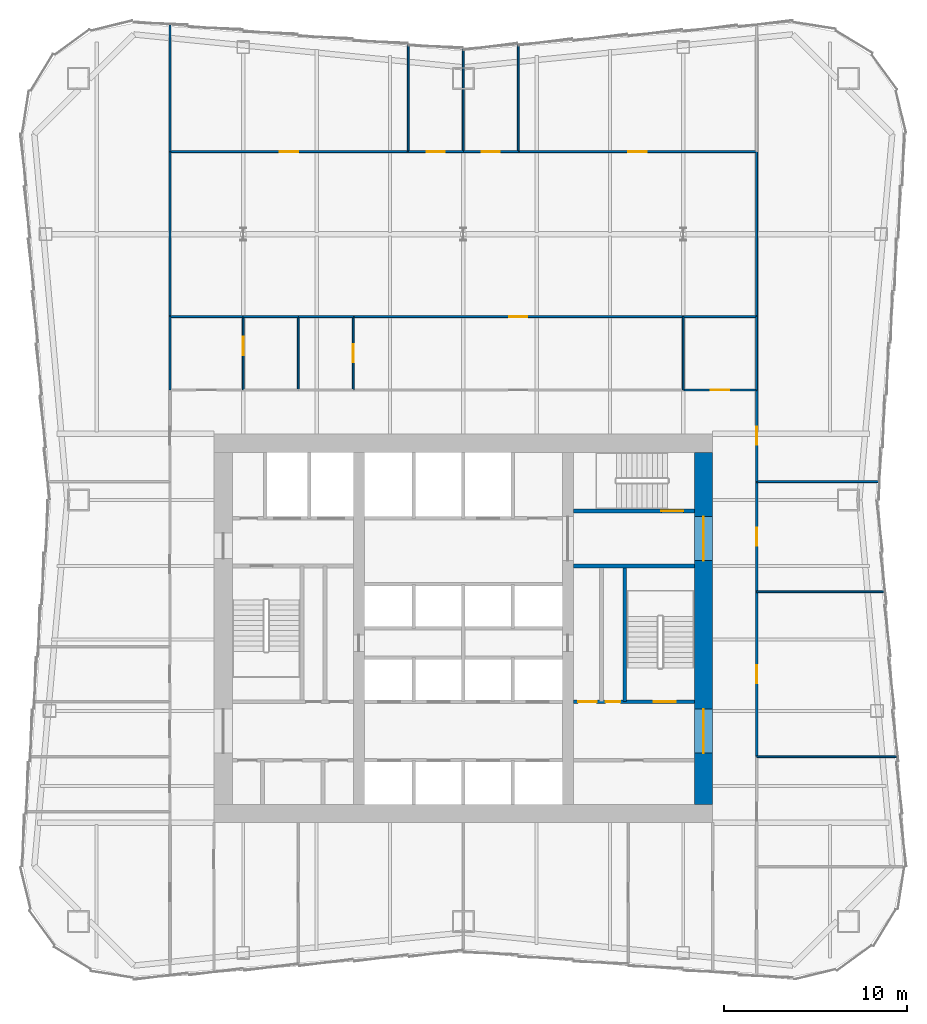
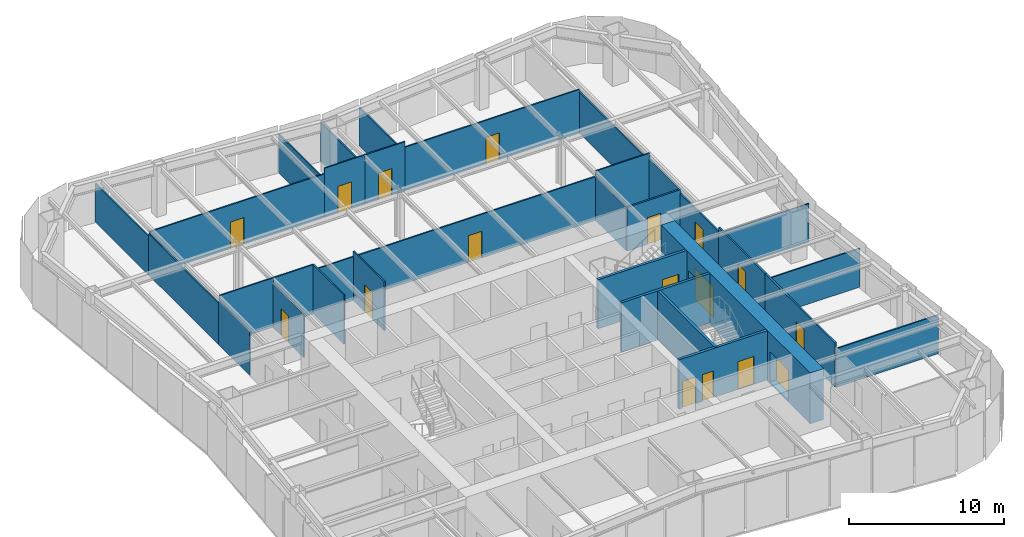
# One storey, part 6 of 8: 33 walls, 17 doors, 17 openings.
"""IFC4 building model written with IfcOpenShell, lengths in metres."""

from ifc_helpers import new_model, si_unit, direction, frame, frame_2d, origin, place, context, subcontext, project, spatial, rectangle, extrude, material, layer, layer_set, type_object, element, fill, save


model = new_model("IFC4")

# Units and contexts
model_context = context("Model", 3, precision=1e-05, world=origin(), true_north=direction((0.0, 1.0)))
body_context = subcontext(model_context, "Body", "Model", "MODEL_VIEW")
ifc_project = project(units=[si_unit("LENGTHUNIT", "METRE"), si_unit("AREAUNIT", "SQUARE_METRE"), si_unit("VOLUMEUNIT", "CUBIC_METRE"), si_unit("PLANEANGLEUNIT", "RADIAN"), si_unit("MASSUNIT", "GRAM", prefix="KILO")], contexts=[model_context])

# Site, building, storey
site_placement = place(None, origin())
site = spatial("IfcSite", under=ifc_project, at=site_placement, CompositionType="ELEMENT")
building_placement = place(site_placement, origin())
building = spatial("IfcBuilding", under=site, at=building_placement, Name="Verdant Reach Tower", CompositionType="ELEMENT")
storey_placement = place(building_placement, frame((0.0, 0.0, 134.0)))
storey = spatial("IfcBuildingStorey", under=building, at=storey_placement, Name="L30", CompositionType="ELEMENT", Elevation=134.0)

# Wall, openings, doors
ifc_material_1 = material(Name="Concrete C40/50", Category="concrete")
ifc_layer_1 = layer(ifc_material_1, 0.199951171875)
ifc_layer_set_1 = layer_set([ifc_layer_1], Name="CO-WALL-STAIR")
wall_type_1 = type_object("IfcWallType", Name="CO-WALL-STAIR", PredefinedType="PARTITIONING", material=ifc_layer_set_1)
wall_1_placement = place(storey_placement, frame((6.0, 24.0, 0.0), z_axis=(0.0, 0.0, 1.0), x_axis=(1.0, 0.0, 0.0)))
wall_1 = element("IfcWall", 1, at=wall_1_placement, inside=storey, type_object=wall_type_1, Name="Stair enclosure wall, L30", PredefinedType="PARTITIONING", context=body_context, shape_type="SweptSolid", body=[
    extrude(rectangle(XDim=6.60009765625, YDim=0.199951171875, at=frame_2d((3.300048828125, 0.0))), origin(), (0.0, 0.0, 1.0), 3.8701171875),
])
opening_1_placement = place(wall_1_placement, frame((0.27001953125, 0.0, 0.0)))
opening_1 = element("IfcOpeningElement", 2, at=opening_1_placement, cuts=wall_1, Name="Opening CD", PredefinedType="OPENING", context=body_context, shape_type="SweptSolid", body=[
    extrude(rectangle(XDim=1.0, YDim=2.10009765625, at=frame_2d((0.5, 1.050048828125))), frame((0.0, 0.10986328125, 0.0), z_axis=(0.0, -1.0, 0.0), x_axis=(1.0, 0.0, 0.0)), (0.0, 0.0, 1.0), 0.219970703125),
])
opening_2_placement = place(wall_1_placement, frame((1.77001953125, 0.0, 0.0)))
opening_2 = element("IfcOpeningElement", 3, at=opening_2_placement, cuts=wall_1, Name="Opening CDN", PredefinedType="OPENING", context=body_context, shape_type="SweptSolid", body=[
    extrude(rectangle(XDim=0.800048828125, YDim=2.10009765625, at=frame_2d((0.39990234375, 1.050048828125))), frame((0.0, 0.10986328125, 0.0), z_axis=(0.0, -1.0, 0.0), x_axis=(1.0, 0.0, 0.0)), (0.0, 0.0, 1.0), 0.219970703125),
])
opening_3_placement = place(wall_1_placement, frame((4.39990234375, 0.0, 0.0)))
opening_3 = element("IfcOpeningElement", 4, at=opening_3_placement, cuts=wall_1, Name="Opening SD", PredefinedType="OPENING", context=body_context, shape_type="SweptSolid", body=[
    extrude(rectangle(XDim=1.199951171875, YDim=2.199951171875, at=frame_2d((0.60009765625, 1.10009765625))), frame((0.0, 0.10986328125, 0.0), z_axis=(0.0, -1.0, 0.0), x_axis=(1.0, 0.0, 0.0)), (0.0, 0.0, 1.0), 0.219970703125),
])
ifc_material_2 = material(Name="Timber", Category="wood")
door_type_1 = type_object("IfcDoorType", Name="CO-DOOR-ROOM", OperationType="NOTDEFINED", PredefinedType="DOOR", material=ifc_material_2)
door_1_placement = place(opening_1_placement, origin())
door_1 = element("IfcDoor", 5, at=door_1_placement, inside=storey, type_object=door_type_1, Name="Core room door, L30", OperationType="SINGLE_SWING_RIGHT", OverallHeight=2.10009765625, OverallWidth=1.0, PredefinedType="DOOR", context=body_context, shape_type="SweptSolid", body=[
    extrude(rectangle(XDim=1.0, YDim=2.10009765625, at=frame_2d((0.5, 1.050048828125))), frame((0.0, 0.02490234375, 0.0), z_axis=(0.0, -1.0, 0.0), x_axis=(1.0, 0.0, 0.0)), (0.0, 0.0, 1.0), 0.050048828125),
])
fill(opening_1, door_1)
door_type_2 = type_object("IfcDoorType", Name="CO-DOOR-ROOM-NARROW", OperationType="NOTDEFINED", PredefinedType="DOOR", material=ifc_material_2)
door_2_placement = place(opening_2_placement, origin())
door_2 = element("IfcDoor", 6, at=door_2_placement, inside=storey, type_object=door_type_2, Name="Core room door, L30", OperationType="SINGLE_SWING_LEFT", OverallHeight=2.10009765625, OverallWidth=0.800048828125, PredefinedType="DOOR", context=body_context, shape_type="SweptSolid", body=[
    extrude(rectangle(XDim=0.800048828125, YDim=2.10009765625, at=frame_2d((0.39990234375, 1.050048828125))), frame((0.0, 0.02490234375, 0.0), z_axis=(0.0, -1.0, 0.0), x_axis=(1.0, 0.0, 0.0)), (0.0, 0.0, 1.0), 0.050048828125),
])
fill(opening_2, door_2)
ifc_material_3 = material(Name="Steel", Category="steel")
door_type_3 = type_object("IfcDoorType", Name="CO-DOOR-STAIR", OperationType="NOTDEFINED", PredefinedType="DOOR", material=ifc_material_3)
door_3_placement = place(opening_3_placement, origin())
door_3 = element("IfcDoor", 7, at=door_3_placement, inside=storey, type_object=door_type_3, Name="Stair door, L30", OperationType="SINGLE_SWING_RIGHT", OverallHeight=2.199951171875, OverallWidth=1.199951171875, PredefinedType="DOOR", context=body_context, shape_type="SweptSolid", body=[
    extrude(rectangle(XDim=1.199951171875, YDim=2.199951171875, at=frame_2d((0.60009765625, 1.10009765625))), frame((0.0, 0.02490234375, 0.0), z_axis=(0.0, -1.0, 0.0), x_axis=(1.0, 0.0, 0.0)), (0.0, 0.0, 1.0), 0.050048828125),
])
fill(opening_3, door_3)

# Wall
wall_2_placement = place(storey_placement, frame((6.0, 31.39990234375, 0.0), z_axis=(0.0, 0.0, 1.0), x_axis=(1.0, 0.0, 0.0)))
element("IfcWall", 8, at=wall_2_placement, inside=storey, type_object=wall_type_1, Name="Stair enclosure wall, L30", PredefinedType="PARTITIONING", context=body_context, shape_type="SweptSolid", body=[
    extrude(rectangle(XDim=6.60009765625, YDim=0.199951171875, at=frame_2d((3.300048828125, 0.0))), origin(), (0.0, 0.0, 1.0), 3.8701171875),
])

# Wall, opening, door
wall_3_placement = place(storey_placement, frame((6.0, 34.39990234375, 0.0), z_axis=(0.0, 0.0, 1.0), x_axis=(1.0, 0.0, 0.0)))
wall_3 = element("IfcWall", 9, at=wall_3_placement, inside=storey, type_object=wall_type_1, Name="Stair enclosure wall, L30", PredefinedType="PARTITIONING", context=body_context, shape_type="SweptSolid", body=[
    extrude(rectangle(XDim=6.60009765625, YDim=0.199951171875, at=frame_2d((3.300048828125, 0.0))), origin(), (0.0, 0.0, 1.0), 3.8701171875),
])
opening_4_placement = place(wall_3_placement, frame((4.800048828125, 0.0, 0.0)))
opening_4 = element("IfcOpeningElement", 10, at=opening_4_placement, cuts=wall_3, Name="Opening SD", PredefinedType="OPENING", context=body_context, shape_type="SweptSolid", body=[
    extrude(rectangle(XDim=1.199951171875, YDim=2.199951171875, at=frame_2d((0.60009765625, 1.10009765625))), frame((0.0, 0.10986328125, 0.0), z_axis=(0.0, -1.0, 0.0), x_axis=(1.0, 0.0, 0.0)), (0.0, 0.0, 1.0), 0.219970703125),
])
door_4_placement = place(opening_4_placement, origin())
door_4 = element("IfcDoor", 11, at=door_4_placement, inside=storey, type_object=door_type_3, Name="Stair door, L30", OperationType="SINGLE_SWING_LEFT", OverallHeight=2.199951171875, OverallWidth=1.199951171875, PredefinedType="DOOR", context=body_context, shape_type="SweptSolid", body=[
    extrude(rectangle(XDim=1.199951171875, YDim=2.199951171875, at=frame_2d((0.60009765625, 1.10009765625))), frame((0.0, 0.02490234375, 0.0), z_axis=(0.0, -1.0, 0.0), x_axis=(1.0, 0.0, 0.0)), (0.0, 0.0, 1.0), 0.050048828125),
])
fill(opening_4, door_4)

# Walls
wall_4_placement = place(storey_placement, frame((8.800048828125, 24.0, 0.0), z_axis=(0.0, 0.0, 1.0), x_axis=(0.0, 1.0, 0.0)))
element("IfcWall", 12, at=wall_4_placement, inside=storey, type_object=wall_type_1, Name="Stair enclosure wall, L30", PredefinedType="PARTITIONING", context=body_context, shape_type="SweptSolid", body=[
    extrude(rectangle(XDim=7.39990234375, YDim=0.199951171875, at=frame_2d((3.699951171875, 0.0))), origin(), (0.0, 0.0, 1.0), 3.8701171875),
])
ifc_material_4 = material(Name="Gypsum board on steel studs", Category="steel")
ifc_layer_2 = layer(ifc_material_4, 0.10009765625)
ifc_layer_set_2 = layer_set([ifc_layer_2], Name="FL-W1 Partition 100")
wall_type_2 = type_object("IfcWallType", Name="FL-W1 Partition 100", PredefinedType="PARTITIONING", material=ifc_layer_set_2)
wall_5_placement = place(storey_placement, frame((-16.0, 41.0, 0.0), z_axis=(0.0, 0.0, 1.0), x_axis=(0.0, 1.0, 0.0)))
element("IfcWall", 13, at=wall_5_placement, inside=storey, type_object=wall_type_2, Name="Partition 30.24", PredefinedType="PARTITIONING", context=body_context, shape_type="SweptSolid", body=[
    extrude(rectangle(XDim=4.0, YDim=0.10009765625, at=frame_2d((2.0, 0.0))), origin(), (0.0, 0.0, 1.0), 3.43994140625),
])
wall_6_placement = place(storey_placement, frame((-16.0, 45.0, 0.0), z_axis=(0.0, 0.0, 1.0), x_axis=(0.0, 1.0, 0.0)))
element("IfcWall", 14, at=wall_6_placement, inside=storey, type_object=wall_type_2, Name="Partition 30.25", PredefinedType="PARTITIONING", context=body_context, shape_type="SweptSolid", body=[
    extrude(rectangle(XDim=9.0, YDim=0.10009765625, at=frame_2d((4.5, 0.0))), origin(), (0.0, 0.0, 1.0), 3.239990234375),
])
wall_7_placement = place(storey_placement, frame((-16.0, 54.0, 0.0), z_axis=(0.0, 0.0, 1.0), x_axis=(0.0, 1.0, 0.0)))
element("IfcWall", 15, at=wall_7_placement, inside=storey, type_object=wall_type_2, Name="Partition 30.26", PredefinedType="PARTITIONING", context=body_context, shape_type="SweptSolid", body=[
    extrude(rectangle(XDim=6.913330078125, YDim=0.10009765625, at=frame_2d((3.45654296875, 0.0))), origin(), (0.0, 0.0, 1.0), 3.0400390625),
])
wall_8_placement = place(storey_placement, frame((23.6298828125, 21.0, 0.0), z_axis=(0.0, 0.0, 1.0), x_axis=(-1.0, 0.0, 0.0)))
element("IfcWall", 16, at=wall_8_placement, inside=storey, type_object=wall_type_2, Name="Partition 30.28", PredefinedType="PARTITIONING", context=body_context, shape_type="SweptSolid", body=[
    extrude(rectangle(XDim=7.6298828125, YDim=0.10009765625, at=frame_2d((3.81494140625, 0.0))), origin(), (0.0, 0.0, 1.0), 3.0400390625),
])
wall_9_placement = place(storey_placement, frame((22.955078125, 30.0, 0.0), z_axis=(0.0, 0.0, 1.0), x_axis=(-1.0, 0.0, 0.0)))
element("IfcWall", 17, at=wall_9_placement, inside=storey, type_object=wall_type_2, Name="Partition 30.29", PredefinedType="PARTITIONING", context=body_context, shape_type="SweptSolid", body=[
    extrude(rectangle(XDim=6.955078125, YDim=0.10009765625, at=frame_2d((3.4775390625, 0.0))), origin(), (0.0, 0.0, 1.0), 3.0400390625),
])
wall_10_placement = place(storey_placement, frame((22.655029296875, 36.0, 0.0), z_axis=(0.0, 0.0, 1.0), x_axis=(-1.0, 0.0, 0.0)))
element("IfcWall", 18, at=wall_10_placement, inside=storey, type_object=wall_type_2, Name="Partition 30.30", PredefinedType="PARTITIONING", context=body_context, shape_type="SweptSolid", body=[
    extrude(rectangle(XDim=6.655029296875, YDim=0.10009765625, at=frame_2d((3.32763671875, 0.0))), origin(), (0.0, 0.0, 1.0), 3.0400390625),
])
wall_11_placement = place(storey_placement, frame((16.0, 45.0, 0.0), z_axis=(0.0, 0.0, 1.0), x_axis=(0.0, -1.0, 0.0)))
element("IfcWall", 19, at=wall_11_placement, inside=storey, type_object=wall_type_2, Name="Partition 30.31", PredefinedType="PARTITIONING", context=body_context, shape_type="SweptSolid", body=[
    extrude(rectangle(XDim=4.0, YDim=0.10009765625, at=frame_2d((2.0, 0.0))), origin(), (0.0, 0.0, 1.0), 3.43994140625),
])
wall_12_placement = place(storey_placement, frame((16.0, 54.0, 0.0), z_axis=(0.0, 0.0, 1.0), x_axis=(0.0, -1.0, 0.0)))
element("IfcWall", 20, at=wall_12_placement, inside=storey, type_object=wall_type_2, Name="Partition 30.32", PredefinedType="PARTITIONING", context=body_context, shape_type="SweptSolid", body=[
    extrude(rectangle(XDim=9.0, YDim=0.10009765625, at=frame_2d((4.5, 0.0))), origin(), (0.0, 0.0, 1.0), 3.239990234375),
])

# Wall, opening, door
wall_13_placement = place(storey_placement, frame((-12.0, 45.0, 0.0), z_axis=(0.0, 0.0, 1.0), x_axis=(0.0, -1.0, 0.0)))
wall_13 = element("IfcWall", 21, at=wall_13_placement, inside=storey, type_object=wall_type_2, Name="Partition 30.37", PredefinedType="PARTITIONING", context=body_context, shape_type="SweptSolid", body=[
    extrude(rectangle(XDim=4.0, YDim=0.10009765625, at=frame_2d((2.0, 0.0))), origin(), (0.0, 0.0, 1.0), 3.43994140625),
])
opening_5_placement = place(wall_13_placement, frame((1.10009765625, 0.0, 0.0)))
opening_5 = element("IfcOpeningElement", 22, at=opening_5_placement, cuts=wall_13, Name="Opening D3", PredefinedType="OPENING", context=body_context, shape_type="SweptSolid", body=[
    extrude(rectangle(XDim=1.0, YDim=2.10009765625, at=frame_2d((0.5, 1.050048828125))), frame((0.0, 0.06005859375, 0.0), z_axis=(0.0, -1.0, 0.0), x_axis=(1.0, 0.0, 0.0)), (0.0, 0.0, 1.0), 0.1201171875),
])
ifc_material_5 = material(Name="Painted timber door leaf", Category="wood")
door_type_4 = type_object("IfcDoorType", Name="FL-D3 Door 1000x2100", OperationType="NOTDEFINED", PredefinedType="DOOR", material=ifc_material_5)
door_5_placement = place(opening_5_placement, origin())
door_5 = element("IfcDoor", 23, at=door_5_placement, inside=storey, type_object=door_type_4, Name="Door 30-019", OperationType="SINGLE_SWING_LEFT", OverallHeight=2.10009765625, OverallWidth=1.0, PredefinedType="DOOR", context=body_context, shape_type="SweptSolid", body=[
    extrude(rectangle(XDim=1.0, YDim=2.10009765625, at=frame_2d((0.5, 1.050048828125))), frame((0.0, 0.02490234375, 0.0), z_axis=(0.0, -1.0, 0.0), x_axis=(1.0, 0.0, 0.0)), (0.0, 0.0, 1.0), 0.050048828125),
])
fill(opening_5, door_5)

# Walls
wall_14_placement = place(storey_placement, frame((-11.99609375, 45.0, 0.0), z_axis=(0.0, 0.0, 1.0), x_axis=(-1.0, 0.0, 0.0)))
element("IfcWall", 24, at=wall_14_placement, inside=storey, type_object=wall_type_2, Name="Partition 30.38", PredefinedType="PARTITIONING", context=body_context, shape_type="SweptSolid", body=[
    extrude(rectangle(XDim=4.00390625, YDim=0.10009765625, at=frame_2d((2.001953125, 0.0))), origin(), (0.0, 0.0, 1.0), 3.8701171875),
])
wall_15_placement = place(storey_placement, frame((-9.0, 41.0, 0.0), z_axis=(0.0, 0.0, 1.0), x_axis=(0.0, 1.0, 0.0)))
element("IfcWall", 25, at=wall_15_placement, inside=storey, type_object=wall_type_2, Name="Partition 30.39", PredefinedType="PARTITIONING", context=body_context, shape_type="SweptSolid", body=[
    extrude(rectangle(XDim=4.0, YDim=0.10009765625, at=frame_2d((2.0, 0.0))), origin(), (0.0, 0.0, 1.0), 3.8701171875),
])
wall_16_placement = place(storey_placement, frame((-8.99609375, 45.0, 0.0), z_axis=(0.0, 0.0, 1.0), x_axis=(-1.0, 0.0, 0.0)))
element("IfcWall", 26, at=wall_16_placement, inside=storey, type_object=wall_type_2, Name="Partition 30.40", PredefinedType="PARTITIONING", context=body_context, shape_type="SweptSolid", body=[
    extrude(rectangle(XDim=3.0078125, YDim=0.10009765625, at=frame_2d((1.50390625, 0.0))), origin(), (0.0, 0.0, 1.0), 3.8701171875),
])

# Wall, opening, door
wall_17_placement = place(storey_placement, frame((-6.0, 41.0, 0.0), z_axis=(0.0, 0.0, 1.0), x_axis=(0.0, 1.0, 0.0)))
wall_17 = element("IfcWall", 27, at=wall_17_placement, inside=storey, type_object=wall_type_2, Name="Partition 30.41", PredefinedType="PARTITIONING", context=body_context, shape_type="SweptSolid", body=[
    extrude(rectangle(XDim=4.0, YDim=0.10009765625, at=frame_2d((2.0, 0.0))), origin(), (0.0, 0.0, 1.0), 3.8701171875),
])
opening_6_placement = place(wall_17_placement, frame((1.5, 0.0, 0.0)))
opening_6 = element("IfcOpeningElement", 28, at=opening_6_placement, cuts=wall_17, Name="Opening D3", PredefinedType="OPENING", context=body_context, shape_type="SweptSolid", body=[
    extrude(rectangle(XDim=1.0, YDim=2.10009765625, at=frame_2d((0.5, 1.050048828125))), frame((0.0, 0.06005859375, 0.0), z_axis=(0.0, -1.0, 0.0), x_axis=(1.0, 0.0, 0.0)), (0.0, 0.0, 1.0), 0.1201171875),
])
door_6_placement = place(opening_6_placement, origin())
door_6 = element("IfcDoor", 29, at=door_6_placement, inside=storey, type_object=door_type_4, Name="Door 30-020", OperationType="SINGLE_SWING_RIGHT", OverallHeight=2.10009765625, OverallWidth=1.0, PredefinedType="DOOR", context=body_context, shape_type="SweptSolid", body=[
    extrude(rectangle(XDim=1.0, YDim=2.10009765625, at=frame_2d((0.5, 1.050048828125))), frame((0.0, 0.02490234375, 0.0), z_axis=(0.0, -1.0, 0.0), x_axis=(1.0, 0.0, 0.0)), (0.0, 0.0, 1.0), 0.050048828125),
])
fill(opening_6, door_6)

# Walls
wall_18_placement = place(storey_placement, frame((-5.99609375, 45.0, 0.0), z_axis=(0.0, 0.0, 1.0), x_axis=(-1.0, 0.0, 0.0)))
element("IfcWall", 30, at=wall_18_placement, inside=storey, type_object=wall_type_2, Name="Partition 30.42", PredefinedType="PARTITIONING", context=body_context, shape_type="SweptSolid", body=[
    extrude(rectangle(XDim=3.0078125, YDim=0.10009765625, at=frame_2d((1.50390625, 0.0))), origin(), (0.0, 0.0, 1.0), 3.43994140625),
])
wall_19_placement = place(storey_placement, frame((12.0, 41.0, 0.0), z_axis=(0.0, 0.0, 1.0), x_axis=(0.0, 1.0, 0.0)))
element("IfcWall", 31, at=wall_19_placement, inside=storey, type_object=wall_type_2, Name="Partition 30.43", PredefinedType="PARTITIONING", context=body_context, shape_type="SweptSolid", body=[
    extrude(rectangle(XDim=4.0, YDim=0.10009765625, at=frame_2d((2.0, 0.0))), origin(), (0.0, 0.0, 1.0), 3.43994140625),
])

# Wall, opening, door
wall_20_placement = place(storey_placement, frame((-6.00390625, 45.0, 0.0), z_axis=(0.0, 0.0, 1.0), x_axis=(1.0, 0.0, 0.0)))
wall_20 = element("IfcWall", 32, at=wall_20_placement, inside=storey, type_object=wall_type_2, Name="Partition 30.44", PredefinedType="PARTITIONING", context=body_context, shape_type="SweptSolid", body=[
    extrude(rectangle(XDim=18.0078125, YDim=0.10009765625, at=frame_2d((9.00390625, 0.0))), origin(), (0.0, 0.0, 1.0), 3.43994140625),
])
opening_7_placement = place(wall_20_placement, frame((8.50390625, 0.0, 0.0)))
opening_7 = element("IfcOpeningElement", 33, at=opening_7_placement, cuts=wall_20, Name="Opening D3", PredefinedType="OPENING", context=body_context, shape_type="SweptSolid", body=[
    extrude(rectangle(XDim=1.0, YDim=2.10009765625, at=frame_2d((0.5, 1.050048828125))), frame((0.0, 0.06005859375, 0.0), z_axis=(0.0, -1.0, 0.0), x_axis=(1.0, 0.0, 0.0)), (0.0, 0.0, 1.0), 0.1201171875),
])
door_7_placement = place(opening_7_placement, origin())
door_7 = element("IfcDoor", 34, at=door_7_placement, inside=storey, type_object=door_type_4, Name="Door 30-021", OperationType="SINGLE_SWING_LEFT", OverallHeight=2.10009765625, OverallWidth=1.0, PredefinedType="DOOR", context=body_context, shape_type="SweptSolid", body=[
    extrude(rectangle(XDim=1.0, YDim=2.10009765625, at=frame_2d((0.5, 1.050048828125))), frame((0.0, 0.02490234375, 0.0), z_axis=(0.0, -1.0, 0.0), x_axis=(1.0, 0.0, 0.0)), (0.0, 0.0, 1.0), 0.050048828125),
])
fill(opening_7, door_7)

# Wall
wall_21_placement = place(storey_placement, frame((16.0, 45.0, 0.0), z_axis=(0.0, 0.0, 1.0), x_axis=(-1.0, 0.0, 0.0)))
element("IfcWall", 35, at=wall_21_placement, inside=storey, type_object=wall_type_2, Name="Partition 30.45", PredefinedType="PARTITIONING", context=body_context, shape_type="SweptSolid", body=[
    extrude(rectangle(XDim=4.00390625, YDim=0.10009765625, at=frame_2d((2.001953125, 0.0))), origin(), (0.0, 0.0, 1.0), 3.8701171875),
])

# Wall, opening, door
wall_22_placement = place(storey_placement, frame((-16.0, 54.0, 0.0), z_axis=(0.0, 0.0, 1.0), x_axis=(1.0, 0.0, 0.0)))
wall_22 = element("IfcWall", 36, at=wall_22_placement, inside=storey, type_object=wall_type_2, Name="Partition 30.46", PredefinedType="PARTITIONING", context=body_context, shape_type="SweptSolid", body=[
    extrude(rectangle(XDim=13.0, YDim=0.10009765625, at=frame_2d((6.5, 0.0))), origin(), (0.0, 0.0, 1.0), 3.43994140625),
])
opening_8_placement = place(wall_22_placement, frame((6.0, 0.0, 0.0)))
opening_8 = element("IfcOpeningElement", 37, at=opening_8_placement, cuts=wall_22, Name="Opening D3", PredefinedType="OPENING", context=body_context, shape_type="SweptSolid", body=[
    extrude(rectangle(XDim=1.0, YDim=2.10009765625, at=frame_2d((0.5, 1.050048828125))), frame((0.0, 0.06005859375, 0.0), z_axis=(0.0, -1.0, 0.0), x_axis=(1.0, 0.0, 0.0)), (0.0, 0.0, 1.0), 0.1201171875),
])
door_8_placement = place(opening_8_placement, origin())
door_8 = element("IfcDoor", 38, at=door_8_placement, inside=storey, type_object=door_type_4, Name="Door 30-022", OperationType="SINGLE_SWING_RIGHT", OverallHeight=2.10009765625, OverallWidth=1.0, PredefinedType="DOOR", context=body_context, shape_type="SweptSolid", body=[
    extrude(rectangle(XDim=1.0, YDim=2.10009765625, at=frame_2d((0.5, 1.050048828125))), frame((0.0, 0.02490234375, 0.0), z_axis=(0.0, -1.0, 0.0), x_axis=(1.0, 0.0, 0.0)), (0.0, 0.0, 1.0), 0.050048828125),
])
fill(opening_8, door_8)

wall_23_placement = place(storey_placement, frame((-3.0, 54.0, 0.0), z_axis=(0.0, 0.0, 1.0), x_axis=(1.0, 0.0, 0.0)))
wall_23 = element("IfcWall", 39, at=wall_23_placement, inside=storey, type_object=wall_type_2, Name="Partition 30.47", PredefinedType="PARTITIONING", context=body_context, shape_type="SweptSolid", body=[
    extrude(rectangle(XDim=3.0, YDim=0.10009765625, at=frame_2d((1.5, 0.0))), origin(), (0.0, 0.0, 1.0), 3.8701171875),
])
opening_9_placement = place(wall_23_placement, frame((1.0, 0.0, 0.0)))
opening_9 = element("IfcOpeningElement", 40, at=opening_9_placement, cuts=wall_23, Name="Opening D3", PredefinedType="OPENING", context=body_context, shape_type="SweptSolid", body=[
    extrude(rectangle(XDim=1.0, YDim=2.10009765625, at=frame_2d((0.5, 1.050048828125))), frame((0.0, 0.06005859375, 0.0), z_axis=(0.0, -1.0, 0.0), x_axis=(1.0, 0.0, 0.0)), (0.0, 0.0, 1.0), 0.1201171875),
])
door_9_placement = place(opening_9_placement, origin())
door_9 = element("IfcDoor", 41, at=door_9_placement, inside=storey, type_object=door_type_4, Name="Door 30-023", OperationType="SINGLE_SWING_LEFT", OverallHeight=2.10009765625, OverallWidth=1.0, PredefinedType="DOOR", context=body_context, shape_type="SweptSolid", body=[
    extrude(rectangle(XDim=1.0, YDim=2.10009765625, at=frame_2d((0.5, 1.050048828125))), frame((0.0, 0.02490234375, 0.0), z_axis=(0.0, -1.0, 0.0), x_axis=(1.0, 0.0, 0.0)), (0.0, 0.0, 1.0), 0.050048828125),
])
fill(opening_9, door_9)

wall_24_placement = place(storey_placement, frame((0.0, 54.0, 0.0), z_axis=(0.0, 0.0, 1.0), x_axis=(1.0, 0.0, 0.0)))
wall_24 = element("IfcWall", 42, at=wall_24_placement, inside=storey, type_object=wall_type_2, Name="Partition 30.48", PredefinedType="PARTITIONING", context=body_context, shape_type="SweptSolid", body=[
    extrude(rectangle(XDim=3.0, YDim=0.10009765625, at=frame_2d((1.5, 0.0))), origin(), (0.0, 0.0, 1.0), 3.8701171875),
])
opening_10_placement = place(wall_24_placement, frame((1.0, 0.0, 0.0)))
opening_10 = element("IfcOpeningElement", 43, at=opening_10_placement, cuts=wall_24, Name="Opening D3", PredefinedType="OPENING", context=body_context, shape_type="SweptSolid", body=[
    extrude(rectangle(XDim=1.0, YDim=2.10009765625, at=frame_2d((0.5, 1.050048828125))), frame((0.0, 0.06005859375, 0.0), z_axis=(0.0, -1.0, 0.0), x_axis=(1.0, 0.0, 0.0)), (0.0, 0.0, 1.0), 0.1201171875),
])
door_10_placement = place(opening_10_placement, origin())
door_10 = element("IfcDoor", 44, at=door_10_placement, inside=storey, type_object=door_type_4, Name="Door 30-024", OperationType="SINGLE_SWING_RIGHT", OverallHeight=2.10009765625, OverallWidth=1.0, PredefinedType="DOOR", context=body_context, shape_type="SweptSolid", body=[
    extrude(rectangle(XDim=1.0, YDim=2.10009765625, at=frame_2d((0.5, 1.050048828125))), frame((0.0, 0.02490234375, 0.0), z_axis=(0.0, -1.0, 0.0), x_axis=(1.0, 0.0, 0.0)), (0.0, 0.0, 1.0), 0.050048828125),
])
fill(opening_10, door_10)

wall_25_placement = place(storey_placement, frame((3.0, 54.0, 0.0), z_axis=(0.0, 0.0, 1.0), x_axis=(1.0, 0.0, 0.0)))
wall_25 = element("IfcWall", 45, at=wall_25_placement, inside=storey, type_object=wall_type_2, Name="Partition 30.49", PredefinedType="PARTITIONING", context=body_context, shape_type="SweptSolid", body=[
    extrude(rectangle(XDim=13.0, YDim=0.10009765625, at=frame_2d((6.5, 0.0))), origin(), (0.0, 0.0, 1.0), 3.43994140625),
])
opening_11_placement = place(wall_25_placement, frame((6.0, 0.0, 0.0)))
opening_11 = element("IfcOpeningElement", 46, at=opening_11_placement, cuts=wall_25, Name="Opening D3", PredefinedType="OPENING", context=body_context, shape_type="SweptSolid", body=[
    extrude(rectangle(XDim=1.0, YDim=2.10009765625, at=frame_2d((0.5, 1.050048828125))), frame((0.0, 0.06005859375, 0.0), z_axis=(0.0, -1.0, 0.0), x_axis=(1.0, 0.0, 0.0)), (0.0, 0.0, 1.0), 0.1201171875),
])
door_11_placement = place(opening_11_placement, origin())
door_11 = element("IfcDoor", 47, at=door_11_placement, inside=storey, type_object=door_type_4, Name="Door 30-025", OperationType="SINGLE_SWING_LEFT", OverallHeight=2.10009765625, OverallWidth=1.0, PredefinedType="DOOR", context=body_context, shape_type="SweptSolid", body=[
    extrude(rectangle(XDim=1.0, YDim=2.10009765625, at=frame_2d((0.5, 1.050048828125))), frame((0.0, 0.02490234375, 0.0), z_axis=(0.0, -1.0, 0.0), x_axis=(1.0, 0.0, 0.0)), (0.0, 0.0, 1.0), 0.050048828125),
])
fill(opening_11, door_11)

# Walls
wall_26_placement = place(storey_placement, frame((-3.0, 54.0, 0.0), z_axis=(0.0, 0.0, 1.0), x_axis=(0.0, 1.0, 0.0)))
element("IfcWall", 48, at=wall_26_placement, inside=storey, type_object=wall_type_2, Name="Partition 30.50", PredefinedType="PARTITIONING", context=body_context, shape_type="SweptSolid", body=[
    extrude(rectangle(XDim=5.830078125, YDim=0.10009765625, at=frame_2d((2.9150390625, 0.0))), origin(), (0.0, 0.0, 1.0), 3.0400390625),
])
wall_27_placement = place(storey_placement, frame((0.0, 54.0, 0.0), z_axis=(0.0, 0.0, 1.0), x_axis=(0.0, 1.0, 0.0)))
element("IfcWall", 49, at=wall_27_placement, inside=storey, type_object=wall_type_2, Name="Partition 30.51", PredefinedType="PARTITIONING", context=body_context, shape_type="SweptSolid", body=[
    extrude(rectangle(XDim=5.580078125, YDim=0.10009765625, at=frame_2d((2.7900390625, 0.0))), origin(), (0.0, 0.0, 1.0), 3.0400390625),
])
wall_28_placement = place(storey_placement, frame((3.0, 54.0, 0.0), z_axis=(0.0, 0.0, 1.0), x_axis=(0.0, 1.0, 0.0)))
element("IfcWall", 50, at=wall_28_placement, inside=storey, type_object=wall_type_2, Name="Partition 30.52", PredefinedType="PARTITIONING", context=body_context, shape_type="SweptSolid", body=[
    extrude(rectangle(XDim=5.830078125, YDim=0.10009765625, at=frame_2d((2.9150390625, 0.0))), origin(), (0.0, 0.0, 1.0), 3.0400390625),
])

# Wall, opening, door
ifc_material_6 = material(Name="Gypsum board on steel studs, fire rated", Category="steel")
ifc_layer_3 = layer(ifc_material_6, 0.125)
ifc_layer_set_3 = layer_set([ifc_layer_3], Name="FL-W2 Corridor wall 125")
wall_type_3 = type_object("IfcWallType", Name="FL-W2 Corridor wall 125", PredefinedType="PARTITIONING", material=ifc_layer_set_3)
wall_29_placement = place(storey_placement, frame((16.0, 30.0, 0.0), z_axis=(0.0, 0.0, 1.0), x_axis=(0.0, -1.0, 0.0)))
wall_29 = element("IfcWall", 51, at=wall_29_placement, inside=storey, type_object=wall_type_3, Name="Partition 30.09", PredefinedType="PARTITIONING", context=body_context, shape_type="SweptSolid", body=[
    extrude(rectangle(XDim=9.0, YDim=0.125, at=frame_2d((4.5, 0.0))), origin(), (0.0, 0.0, 1.0), 3.47998046875),
])
opening_12_placement = place(wall_29_placement, frame((4.0, 0.0, 0.0)))
opening_12 = element("IfcOpeningElement", 52, at=opening_12_placement, cuts=wall_29, Name="Opening D2", PredefinedType="OPENING", context=body_context, shape_type="SweptSolid", body=[
    extrude(rectangle(XDim=1.0, YDim=2.10009765625, at=frame_2d((0.5, 1.050048828125))), frame((0.0, 0.072509765625, 0.0), z_axis=(0.0, -1.0, 0.0), x_axis=(1.0, 0.0, 0.0)), (0.0, 0.0, 1.0), 0.14501953125),
])
ifc_material_7 = material(Name="Timber door leaf, fire rated", Category="wood")
door_type_5 = type_object("IfcDoorType", Name="FL-D2 Entrance door 1000x2100 FD30", OperationType="NOTDEFINED", PredefinedType="DOOR", material=ifc_material_7)
door_12_placement = place(opening_12_placement, origin())
door_12 = element("IfcDoor", 53, at=door_12_placement, inside=storey, type_object=door_type_5, Name="Door 30-009", OperationType="SINGLE_SWING_LEFT", OverallHeight=2.10009765625, OverallWidth=1.0, PredefinedType="DOOR", context=body_context, shape_type="SweptSolid", body=[
    extrude(rectangle(XDim=1.0, YDim=2.10009765625, at=frame_2d((0.5, 1.050048828125))), frame((0.0, 0.02490234375, 0.0), z_axis=(0.0, -1.0, 0.0), x_axis=(1.0, 0.0, 0.0)), (0.0, 0.0, 1.0), 0.050048828125),
])
fill(opening_12, door_12)

wall_30_placement = place(storey_placement, frame((16.0, 36.0, 0.0), z_axis=(0.0, 0.0, 1.0), x_axis=(0.0, -1.0, 0.0)))
wall_30 = element("IfcWall", 54, at=wall_30_placement, inside=storey, type_object=wall_type_3, Name="Partition 30.10", PredefinedType="PARTITIONING", context=body_context, shape_type="SweptSolid", body=[
    extrude(rectangle(XDim=6.0, YDim=0.125, at=frame_2d((3.0, 0.0))), origin(), (0.0, 0.0, 1.0), 3.47998046875),
])
opening_13_placement = place(wall_30_placement, frame((2.5, 0.0, 0.0)))
opening_13 = element("IfcOpeningElement", 55, at=opening_13_placement, cuts=wall_30, Name="Opening D2", PredefinedType="OPENING", context=body_context, shape_type="SweptSolid", body=[
    extrude(rectangle(XDim=1.0, YDim=2.10009765625, at=frame_2d((0.5, 1.050048828125))), frame((0.0, 0.072509765625, 0.0), z_axis=(0.0, -1.0, 0.0), x_axis=(1.0, 0.0, 0.0)), (0.0, 0.0, 1.0), 0.14501953125),
])
door_13_placement = place(opening_13_placement, origin())
door_13 = element("IfcDoor", 56, at=door_13_placement, inside=storey, type_object=door_type_5, Name="Door 30-010", OperationType="SINGLE_SWING_RIGHT", OverallHeight=2.10009765625, OverallWidth=1.0, PredefinedType="DOOR", context=body_context, shape_type="SweptSolid", body=[
    extrude(rectangle(XDim=1.0, YDim=2.10009765625, at=frame_2d((0.5, 1.050048828125))), frame((0.0, 0.02490234375, 0.0), z_axis=(0.0, -1.0, 0.0), x_axis=(1.0, 0.0, 0.0)), (0.0, 0.0, 1.0), 0.050048828125),
])
fill(opening_13, door_13)

wall_31_placement = place(storey_placement, frame((16.0, 41.00390625, 0.0), z_axis=(0.0, 0.0, 1.0), x_axis=(0.0, -1.0, 0.0)))
wall_31 = element("IfcWall", 57, at=wall_31_placement, inside=storey, type_object=wall_type_3, Name="Partition 30.11", PredefinedType="PARTITIONING", context=body_context, shape_type="SweptSolid", body=[
    extrude(rectangle(XDim=5.00390625, YDim=0.125, at=frame_2d((2.501953125, 0.0))), origin(), (0.0, 0.0, 1.0), 3.139892578125),
])
opening_14_placement = place(wall_31_placement, frame((2.001953125, 0.0, 0.0)))
opening_14 = element("IfcOpeningElement", 58, at=opening_14_placement, cuts=wall_31, Name="Opening D2", PredefinedType="OPENING", context=body_context, shape_type="SweptSolid", body=[
    extrude(rectangle(XDim=1.0, YDim=2.10009765625, at=frame_2d((0.5, 1.050048828125))), frame((0.0, 0.072509765625, 0.0), z_axis=(0.0, -1.0, 0.0), x_axis=(1.0, 0.0, 0.0)), (0.0, 0.0, 1.0), 0.14501953125),
])
door_14_placement = place(opening_14_placement, origin())
door_14 = element("IfcDoor", 59, at=door_14_placement, inside=storey, type_object=door_type_5, Name="Door 30-011", OperationType="SINGLE_SWING_LEFT", OverallHeight=2.10009765625, OverallWidth=1.0, PredefinedType="DOOR", context=body_context, shape_type="SweptSolid", body=[
    extrude(rectangle(XDim=1.0, YDim=2.10009765625, at=frame_2d((0.5, 1.050048828125))), frame((0.0, 0.02490234375, 0.0), z_axis=(0.0, -1.0, 0.0), x_axis=(1.0, 0.0, 0.0)), (0.0, 0.0, 1.0), 0.050048828125),
])
fill(opening_14, door_14)

wall_32_placement = place(storey_placement, frame((12.0, 41.0, 0.0), z_axis=(0.0, 0.0, 1.0), x_axis=(1.0, 0.0, 0.0)))
wall_32 = element("IfcWall", 60, at=wall_32_placement, inside=storey, type_object=wall_type_3, Name="Partition 30.18", PredefinedType="PARTITIONING", context=body_context, shape_type="SweptSolid", body=[
    extrude(rectangle(XDim=4.0, YDim=0.125, at=frame_2d((2.0, 0.0))), origin(), (0.0, 0.0, 1.0), 3.43994140625),
])
opening_15_placement = place(wall_32_placement, frame((1.5, 0.0, 0.0)))
opening_15 = element("IfcOpeningElement", 61, at=opening_15_placement, cuts=wall_32, Name="Opening D2", PredefinedType="OPENING", context=body_context, shape_type="SweptSolid", body=[
    extrude(rectangle(XDim=1.0, YDim=2.10009765625, at=frame_2d((0.5, 1.050048828125))), frame((0.0, 0.072509765625, 0.0), z_axis=(0.0, -1.0, 0.0), x_axis=(1.0, 0.0, 0.0)), (0.0, 0.0, 1.0), 0.14501953125),
])
door_15_placement = place(opening_15_placement, origin())
door_15 = element("IfcDoor", 62, at=door_15_placement, inside=storey, type_object=door_type_5, Name="Door 30-016", OperationType="SINGLE_SWING_RIGHT", OverallHeight=2.10009765625, OverallWidth=1.0, PredefinedType="DOOR", context=body_context, shape_type="SweptSolid", body=[
    extrude(rectangle(XDim=1.0, YDim=2.10009765625, at=frame_2d((0.5, 1.050048828125))), frame((0.0, 0.02490234375, 0.0), z_axis=(0.0, -1.0, 0.0), x_axis=(1.0, 0.0, 0.0)), (0.0, 0.0, 1.0), 0.050048828125),
])
fill(opening_15, door_15)

# Wall, openings, doors
ifc_material_8 = material(Name="Concrete C70/85", Category="concrete")
ifc_layer_4 = layer(ifc_material_8, 1.0)
ifc_layer_set_4 = layer_set([ifc_layer_4], Name="ST-CORE-WALL-1000")
wall_type_4 = type_object("IfcWallType", Name="ST-CORE-WALL-1000", PredefinedType="SHEAR", material=ifc_layer_set_4)
wall_33_placement = place(storey_placement, frame((13.10009765625, 18.39990234375, -0.1298828125), z_axis=(0.0, 0.0, 1.0), x_axis=(0.0, 1.0, 0.0)))
wall_33 = element("IfcWall", 63, at=wall_33_placement, inside=storey, type_object=wall_type_4, Name="Core wall E, L30", PredefinedType="SHEAR", context=body_context, shape_type="SweptSolid", body=[
    extrude(rectangle(XDim=19.2001953125, YDim=1.0, at=frame_2d((9.60009765625, 0.0))), origin(), (0.0, 0.0, 1.0), 4.0),
])
opening_16_placement = place(wall_33_placement, frame((2.800048828125, 0.0, 0.1298828125)))
opening_16 = element("IfcOpeningElement", 64, at=opening_16_placement, cuts=wall_33, Name="Opening LB", PredefinedType="OPENING", context=body_context, shape_type="SweptSolid", body=[
    extrude(rectangle(XDim=2.39990234375, YDim=2.39990234375, at=frame_2d((1.199951171875, 1.199951171875))), frame((0.0, 0.510009765625, 0.0), z_axis=(0.0, -1.0, 0.0), x_axis=(1.0, 0.0, 0.0)), (0.0, 0.0, 1.0), 1.02001953125),
])
opening_17_placement = place(wall_33_placement, frame((13.300048828125, 0.0, 0.1298828125)))
opening_17 = element("IfcOpeningElement", 65, at=opening_17_placement, cuts=wall_33, Name="Opening LB", PredefinedType="OPENING", context=body_context, shape_type="SweptSolid", body=[
    extrude(rectangle(XDim=2.39990234375, YDim=2.39990234375, at=frame_2d((1.199951171875, 1.199951171875))), frame((0.0, 0.510009765625, 0.0), z_axis=(0.0, -1.0, 0.0), x_axis=(1.0, 0.0, 0.0)), (0.0, 0.0, 1.0), 1.02001953125),
])
ifc_material_9 = material(Name="Glass and steel", Category="steel")
door_type_6 = type_object("IfcDoorType", Name="CO-DOOR-LOBBY", OperationType="DOUBLE_DOOR_SINGLE_SWING", PredefinedType="DOOR", material=ifc_material_9)
door_16_placement = place(opening_16_placement, origin())
door_16 = element("IfcDoor", 66, at=door_16_placement, inside=storey, type_object=door_type_6, Name="Core entrance door, L30", OperationType="DOUBLE_DOOR_SINGLE_SWING", OverallHeight=2.39990234375, OverallWidth=2.39990234375, PredefinedType="DOOR", context=body_context, shape_type="SweptSolid", body=[
    extrude(rectangle(XDim=2.39990234375, YDim=2.39990234375, at=frame_2d((1.199951171875, 1.199951171875))), frame((0.0, 0.02490234375, 0.0), z_axis=(0.0, -1.0, 0.0), x_axis=(1.0, 0.0, 0.0)), (0.0, 0.0, 1.0), 0.050048828125),
])
fill(opening_16, door_16)
door_17_placement = place(opening_17_placement, origin())
door_17 = element("IfcDoor", 67, at=door_17_placement, inside=storey, type_object=door_type_6, Name="Core entrance door, L30", OperationType="DOUBLE_DOOR_SINGLE_SWING", OverallHeight=2.39990234375, OverallWidth=2.39990234375, PredefinedType="DOOR", context=body_context, shape_type="SweptSolid", body=[
    extrude(rectangle(XDim=2.39990234375, YDim=2.39990234375, at=frame_2d((1.199951171875, 1.199951171875))), frame((0.0, 0.02490234375, 0.0), z_axis=(0.0, -1.0, 0.0), x_axis=(1.0, 0.0, 0.0)), (0.0, 0.0, 1.0), 0.050048828125),
])
fill(opening_17, door_17)

save(model, "model.ifc")
